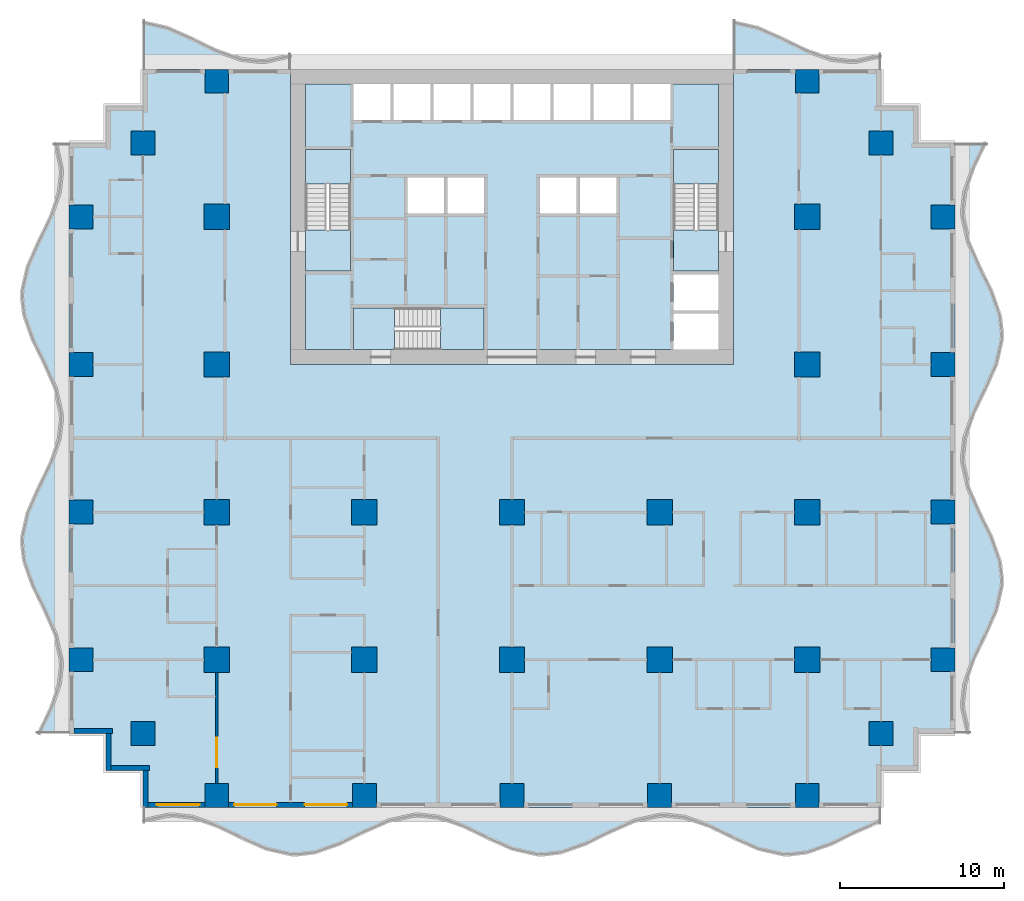
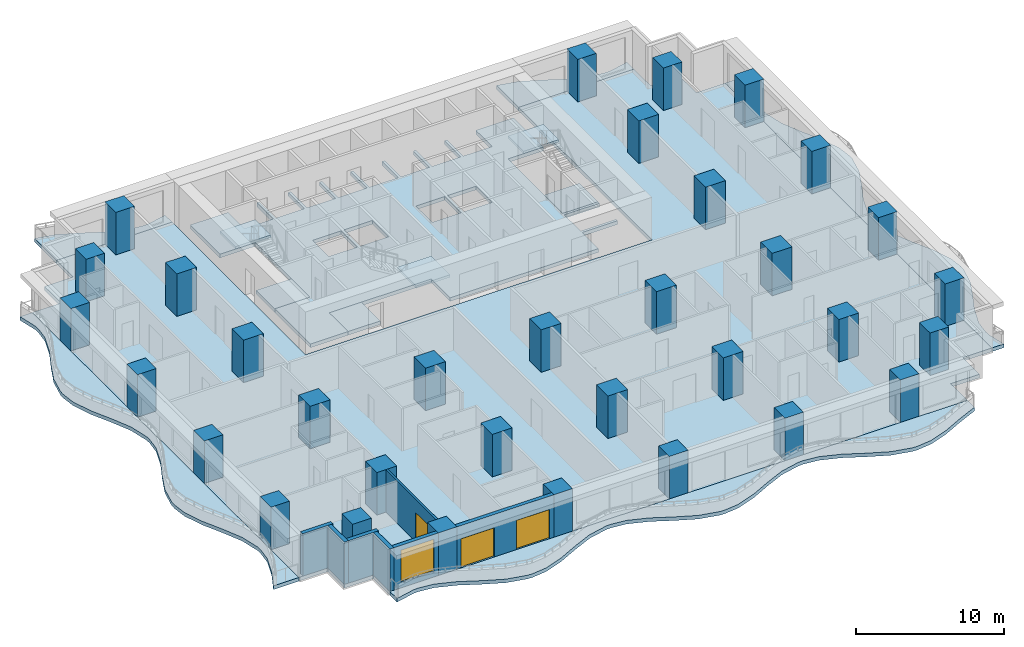
# One storey, part 1 of 14: 33 columns, 13 slabs, 7 walls, 3 doors, 1 window, 4 openings, 3 elements without a shape of their own.
"""IFC4 building model written with IfcOpenShell, lengths in metres."""

from ifc_helpers import new_model, si_unit, direction, frame, frame_2d, origin, origin_2d, place, context, subcontext, project, spatial, polyline, rectangle, outline, extrude, material, layer, layer_set, material_profile, profile_set, type_object, element, fill, aggregate, save


model = new_model("IFC4")

# Units and contexts
model_context = context("Model", 3, precision=1e-05, world=origin(), true_north=direction((0.0, 1.0)))
body_context = subcontext(model_context, "Body", "Model", "MODEL_VIEW")
ifc_project = project(units=[si_unit("LENGTHUNIT", "METRE"), si_unit("AREAUNIT", "SQUARE_METRE"), si_unit("VOLUMEUNIT", "CUBIC_METRE"), si_unit("PLANEANGLEUNIT", "RADIAN"), si_unit("MASSUNIT", "GRAM", prefix="KILO")], contexts=[model_context])

# Site, building, storey
site_placement = place(None, origin())
site = spatial("IfcSite", under=ifc_project, at=site_placement, CompositionType="ELEMENT")
building_placement = place(site_placement, origin())
building = spatial("IfcBuilding", under=site, at=building_placement, Name="Orbiselva Terraces", CompositionType="ELEMENT")
storey_placement = place(building_placement, frame((0.0, 0.0, 34.0)))
storey = spatial("IfcBuildingStorey", under=building, at=storey_placement, Name="L08", CompositionType="ELEMENT", Elevation=34.0)

# Columns
ifc_material_1 = material(Name="Concrete C80/95", Category="concrete")
ifc_material_profile_1 = material_profile(ifc_material_1, rectangle(XDim=1.55, YDim=1.55, at=origin_2d()), Name="RC 1550x1550")
ifc_profile_set_1 = profile_set([ifc_material_profile_1], Name="Concrete C80/95")
column_type_1 = type_object("IfcColumnType", Name="COLUMN RC 1550x1550", PredefinedType="COLUMN", material=ifc_profile_set_1)
for number, where, z_axis, x_axis, name in (
    (1, (-18.0, -13.5, 0.0), (0.0, 0.0, 1.0), (1.0, 0.0, 0.0), "Column L08-01"),
    (2, (-18.0, -4.5, 0.0), (0.0, 0.0, 1.0), (1.0, 0.0, 0.0), "Column L08-03"),
    (3, (-18.0, 13.5, 0.0), (0.0, 0.0, 1.0), (1.0, 0.0, 0.0), "Column L08-04"),
    (4, (-18.0, 4.5, 0.0), (0.0, 0.0, 1.0), (1.0, 0.0, 0.0), "Column L08-06"),
    (5, (-9.0, -13.5, 0.0), (0.0, 0.0, 1.0), (1.0, 0.0, 0.0), "Column L08-13"),
    (6, (-9.0, -4.5, 0.0), (0.0, 0.0, 1.0), (1.0, 0.0, 0.0), "Column L08-15"),
    (7, (0.0, -13.5, 0.0), (0.0, 0.0, 1.0), (1.0, 0.0, 0.0), "Column L08-16"),
    (8, (0.0, -4.5, 0.0), (0.0, 0.0, 1.0), (1.0, 0.0, 0.0), "Column L08-18"),
    (9, (18.0, -13.5, 0.0), (0.0, 0.0, 1.0), (1.0, 0.0, 0.0), "Column L08-19"),
    (10, (18.0, -4.5, 0.0), (0.0, 0.0, 1.0), (1.0, 0.0, 0.0), "Column L08-21"),
    (11, (18.0, 13.5, 0.0), (0.0, 0.0, 1.0), (1.0, 0.0, 0.0), "Column L08-22"),
    (12, (18.0, 4.5, 0.0), (0.0, 0.0, 1.0), (1.0, 0.0, 0.0), "Column L08-24"),
    (13, (9.0, -13.5, 0.0), (0.0, 0.0, 1.0), (1.0, 0.0, 0.0), "Column L08-31"),
    (14, (9.0, -4.5, 0.0), (0.0, 0.0, 1.0), (1.0, 0.0, 0.0), "Column L08-33"),
):
    element("IfcColumn", number, at=place(storey_placement, frame(where, z_axis=z_axis, x_axis=x_axis)), inside=storey, type_object=column_type_1, Name=name, PredefinedType="COLUMN", context=body_context, shape_type="SweptSolid", body=[
        extrude(rectangle(XDim=1.55, YDim=1.55, at=origin_2d()), origin(), (0.0, 0.0, 1.0), 3.5),
    ])
ifc_material_2 = material(Name="Concrete C70/85", Category="concrete")
ifc_material_profile_2 = material_profile(ifc_material_2, rectangle(XDim=1.45, YDim=1.45, at=origin_2d()), Name="RC 1450x1450")
ifc_profile_set_2 = profile_set([ifc_material_profile_2], Name="Concrete C70/85")
column_type_2 = type_object("IfcColumnType", Name="PERIMETER COLUMN RC 1450x1450", PredefinedType="COLUMN", material=ifc_profile_set_2)
for number, where, z_axis, x_axis, name in (
    (15, (-18.0, -21.775, 0.0), (0.0, 0.0, 1.0), (1.0, 0.0, 0.0), "Column L08-02"),
    (16, (-18.0, 21.775, 0.0), (0.0, 0.0, 1.0), (1.0, 0.0, 0.0), "Column L08-05"),
    (17, (-26.275, -13.5, 0.0), (0.0, 0.0, 1.0), (1.0, 0.0, 0.0), "Column L08-07"),
    (18, (-22.5, -18.0, 0.0), (0.0, 0.0, 1.0), (1.0, 0.0, 0.0), "Column L08-08"),
    (19, (-26.275, -4.5, 0.0), (0.0, 0.0, 1.0), (1.0, 0.0, 0.0), "Column L08-09"),
    (20, (-26.275, 13.5, 0.0), (0.0, 0.0, 1.0), (1.0, 0.0, 0.0), "Column L08-10"),
    (21, (-22.5, 18.0, 0.0), (0.0, 0.0, 1.0), (1.0, 0.0, 0.0), "Column L08-11"),
    (22, (-26.275, 4.5, 0.0), (0.0, 0.0, 1.0), (1.0, 0.0, 0.0), "Column L08-12"),
    (23, (-9.0, -21.775, 0.0), (0.0, 0.0, 1.0), (1.0, 0.0, 0.0), "Column L08-14"),
    (24, (0.0, -21.775, 0.0), (0.0, 0.0, 1.0), (1.0, 0.0, 0.0), "Column L08-17"),
    (25, (18.0, -21.775, 0.0), (0.0, 0.0, 1.0), (1.0, 0.0, 0.0), "Column L08-20"),
    (26, (18.0, 21.775, 0.0), (0.0, 0.0, 1.0), (1.0, 0.0, 0.0), "Column L08-23"),
    (27, (26.275, -13.5, 0.0), (0.0, 0.0, 1.0), (1.0, 0.0, 0.0), "Column L08-25"),
    (28, (22.5, -18.0, 0.0), (0.0, 0.0, 1.0), (1.0, 0.0, 0.0), "Column L08-26"),
    (29, (26.275, -4.5, 0.0), (0.0, 0.0, 1.0), (1.0, 0.0, 0.0), "Column L08-27"),
    (30, (26.275, 13.5, 0.0), (0.0, 0.0, 1.0), (1.0, 0.0, 0.0), "Column L08-28"),
    (31, (22.5, 18.0, 0.0), (0.0, 0.0, 1.0), (1.0, 0.0, 0.0), "Column L08-29"),
    (32, (26.275, 4.5, 0.0), (0.0, 0.0, 1.0), (1.0, 0.0, 0.0), "Column L08-30"),
    (33, (9.0, -21.775, 0.0), (0.0, 0.0, 1.0), (1.0, 0.0, 0.0), "Column L08-32"),
):
    element("IfcColumn", number, at=place(storey_placement, frame(where, z_axis=z_axis, x_axis=x_axis)), inside=storey, type_object=column_type_2, Name=name, PredefinedType="COLUMN", context=body_context, shape_type="SweptSolid", body=[
        extrude(rectangle(XDim=1.45, YDim=1.45, at=origin_2d()), origin(), (0.0, 0.0, 1.0), 3.5),
    ])

# Slabs
ifc_material_3 = material(Name="Concrete C40/50", Category="concrete")
ifc_layer_1 = layer(ifc_material_3, 0.3)
ifc_layer_set_1 = layer_set([ifc_layer_1], Name="Concrete C40/50")
slab_type_1 = type_object("IfcSlabType", Name="CORE-SLAB-FLOOR-300", PredefinedType="FLOOR", material=ifc_layer_set_1)
slab_1_placement = place(storey_placement, frame((0.0, 0.0, -0.3)))
element("IfcSlab", 34, at=slab_1_placement, inside=storey, type_object=slab_type_1, Name="L08 S1 floor landing", PredefinedType="FLOOR", context=body_context, shape_type="SweptSolid", body=[
    extrude(outline(polyline([(-12.6, 12.7), (-9.85, 12.7), (-9.85, 10.2), (-12.6, 10.2), (-12.6, 12.7)])), origin(), (0.0, 0.0, 1.0), 0.3),
])
slab_2_placement = place(storey_placement, frame((0.0, 0.0, -0.3)))
element("IfcSlab", 35, at=slab_2_placement, inside=storey, type_object=slab_type_1, Name="L08 S2 floor landing", PredefinedType="FLOOR", context=body_context, shape_type="SweptSolid", body=[
    extrude(outline(polyline([(12.6, 12.7), (12.6, 10.2), (9.85, 10.2), (9.85, 12.7), (12.6, 12.7)])), origin(), (0.0, 0.0, 1.0), 0.3),
])
slab_3_placement = place(storey_placement, frame((0.0, 0.0, -0.3)))
element("IfcSlab", 36, at=slab_3_placement, inside=storey, type_object=slab_type_1, Name="L08 S3 floor landing", PredefinedType="FLOOR", context=body_context, shape_type="SweptSolid", body=[
    extrude(outline(polyline([(-7.15, 5.4), (-9.65, 5.4), (-9.65, 7.95), (-7.15, 7.95), (-7.15, 5.4)])), origin(), (0.0, 0.0, 1.0), 0.3),
])
slab_4_placement = place(storey_placement, frame((0.0, 0.0, -0.3)))
element("IfcSlab", 37, at=slab_4_placement, inside=storey, type_object=slab_type_1, Name="L08 core floor slab 1", PredefinedType="FLOOR", context=body_context, shape_type="SweptSolid", body=[
    extrude(outline(polyline([(-1.7, 5.4), (-1.7, 7.95), (-9.65, 7.95), (-9.65, 5.4), (-12.6, 5.4), (-12.6, 10.2), (-9.85, 10.2), (-9.85, 17.6), (-12.6, 17.6), (-12.6, 21.6), (-9.65, 21.6), (-9.65, 19.4), (-7.4125, 19.4), (-7.4125, 21.6), (-7.2125, 21.6), (-7.2125, 19.4), (-4.975, 19.4), (-4.975, 21.6), (-4.775, 21.6), (-4.775, 19.4), (-2.5375, 19.4), (-2.5375, 21.6), (-2.3375, 21.6), (-2.3375, 19.4), (-0.1, 19.4), (-0.1, 21.6), (0.1, 21.6), (0.1, 19.4), (2.3375, 19.4), (2.3375, 21.6), (2.5375, 21.6), (2.5375, 19.4), (4.775, 19.4), (4.775, 21.6), (4.975, 21.6), (4.975, 19.4), (7.2125, 19.4), (7.2125, 21.6), (7.4125, 21.6), (7.4125, 19.4), (9.65, 19.4), (9.65, 21.6), (12.6, 21.6), (12.6, 17.6), (9.85, 17.6), (9.85, 10.2), (12.6, 10.2), (12.6, 10.0), (9.85, 10.0), (9.85, 7.8), (12.6, 7.8), (12.6, 7.6), (9.85, 7.6), (9.85, 5.4), (-1.7, 5.4)]), holes=[polyline([(-4.1375, 13.7), (-4.1375, 15.9), (-6.375, 15.9), (-6.375, 13.7), (-4.1375, 13.7)]), polyline([(-1.7, 13.7), (-1.7, 15.9), (-3.9375, 15.9), (-3.9375, 13.7), (-1.7, 13.7)]), polyline([(3.9375, 13.7), (3.9375, 15.9), (1.7, 15.9), (1.7, 13.7), (3.9375, 13.7)]), polyline([(6.375, 13.7), (6.375, 15.9), (4.1375, 15.9), (4.1375, 13.7), (6.375, 13.7)])]), origin(), (0.0, 0.0, 1.0), 0.3),
])

# Stair, slab
stair_type_1 = type_object("IfcStairType", Name="CORE-STAIR-1300", PredefinedType="HALF_TURN_STAIR", material=ifc_material_3)
stair_1_placement = place(storey_placement, origin())
stair_1 = element("IfcStair", 38, at=stair_1_placement, inside=storey, type_object=stair_type_1, Name="L08 Exit Stair S1", PredefinedType="HALF_TURN_STAIR")
ifc_layer_2 = layer(ifc_material_3, 0.2)
ifc_layer_set_2 = layer_set([ifc_layer_2], Name="Concrete C40/50")
slab_type_2 = type_object("IfcSlabType", Name="CORE-STAIR-LANDING-200", PredefinedType="LANDING", material=ifc_layer_set_2)
slab_5_placement = place(storey_placement, frame((0.0, 0.0, 1.7)))
slab_5 = element("IfcSlab", 39, at=slab_5_placement, type_object=slab_type_2, Name="S1 landing 1", PredefinedType="LANDING", context=body_context, shape_type="SweptSolid", body=[
    extrude(outline(polyline([(-9.85, 15.5), (-9.85, 17.6), (-12.6, 17.6), (-12.6, 15.5), (-9.85, 15.5)])), origin(), (0.0, 0.0, 1.0), 0.2),
])
aggregate(stair_1, [slab_5])

stair_2_placement = place(storey_placement, origin())
stair_2 = element("IfcStair", 40, at=stair_2_placement, inside=storey, type_object=stair_type_1, Name="L08 Exit Stair S2", PredefinedType="HALF_TURN_STAIR")
slab_6_placement = place(storey_placement, frame((0.0, 0.0, 1.7)))
slab_6 = element("IfcSlab", 41, at=slab_6_placement, type_object=slab_type_2, Name="S2 landing 1", PredefinedType="LANDING", context=body_context, shape_type="SweptSolid", body=[
    extrude(outline(polyline([(12.6, 15.5), (12.6, 17.6), (9.85, 17.6), (9.85, 15.5), (12.6, 15.5)])), origin(), (0.0, 0.0, 1.0), 0.2),
])
aggregate(stair_2, [slab_6])

stair_type_2 = type_object("IfcStairType", Name="CORE-STAIR-1200", PredefinedType="HALF_TURN_STAIR", material=ifc_material_3)
stair_3_placement = place(storey_placement, origin())
stair_3 = element("IfcStair", 42, at=stair_3_placement, inside=storey, type_object=stair_type_2, Name="L08 Exit Stair S3", PredefinedType="HALF_TURN_STAIR")
slab_7_placement = place(storey_placement, frame((0.0, 0.0, 1.7)))
slab_7 = element("IfcSlab", 43, at=slab_7_placement, type_object=slab_type_2, Name="S3 landing 1", PredefinedType="LANDING", context=body_context, shape_type="SweptSolid", body=[
    extrude(outline(polyline([(-4.35, 5.4), (-1.7, 5.4), (-1.7, 7.95), (-4.35, 7.95), (-4.35, 5.4)])), origin(), (0.0, 0.0, 1.0), 0.2),
])
aggregate(stair_3, [slab_7])

# Slabs
ifc_material_4 = material(Name="Concrete C50/60", Category="concrete")
ifc_layer_3 = layer(ifc_material_4, 0.3)
ifc_layer_set_3 = layer_set([ifc_layer_3], Name="Concrete C50/60")
slab_type_3 = type_object("IfcSlabType", Name="ENV-BALCONY-SLAB-300", PredefinedType="FLOOR", material=ifc_layer_set_3)
slab_8_placement = place(storey_placement, frame((0.0, 0.0, -0.3)))
element("IfcSlab", 44, at=slab_8_placement, inside=storey, type_object=slab_type_3, Name="Balcony slab L08 S", PredefinedType="FLOOR", context=body_context, shape_type="SweptSolid", body=[
    extrude(outline(polyline([(-22.5, -23.451472), (-21.0, -23.114774), (-20.625, -23.1), (-19.5, -23.230792), (-18.0, -23.755211), (-16.5, -24.487721), (-15.0, -25.148528), (-13.5, -25.485226), (-13.125, -25.5), (-12.0, -25.369208), (-10.5, -24.844789), (-9.0, -24.112279), (-7.5, -23.451472), (-6.0, -23.114774), (-5.625, -23.1), (-4.5, -23.230792), (-3.0, -23.755211), (-1.5, -24.487721), (0.0, -25.148528), (1.5, -25.485226), (1.875, -25.5), (3.0, -25.369208), (4.5, -24.844789), (6.0, -24.112279), (7.5, -23.451472), (9.0, -23.114774), (9.375, -23.1), (10.5, -23.230792), (12.0, -23.755211), (13.5, -24.487721), (15.0, -25.148528), (16.5, -25.485226), (16.875, -25.5), (18.0, -25.369208), (19.5, -24.844789), (21.0, -24.112279), (22.5, -23.451472), (22.5, -22.5), (-22.5, -22.5), (-22.5, -23.451472)])), origin(), (0.0, 0.0, 1.0), 0.3),
])
slab_9_placement = place(storey_placement, frame((0.0, 0.0, -0.3)))
element("IfcSlab", 45, at=slab_9_placement, inside=storey, type_object=slab_type_3, Name="Balcony slab L08 E", PredefinedType="FLOOR", context=body_context, shape_type="SweptSolid", body=[
    extrude(outline(polyline([(27.951472, -18.0), (27.614774, -16.5), (27.6, -16.125), (27.730792, -15.0), (28.255211, -13.5), (28.987721, -12.0), (29.648528, -10.5), (29.985226, -9.0), (30.0, -8.625), (29.869208, -7.5), (29.344789, -6.0), (28.612279, -4.5), (27.951472, -3.0), (27.614774, -1.5), (27.6, -1.125), (27.730792, 0.0), (28.255211, 1.5), (28.987721, 3.0), (29.648528, 4.5), (29.985226, 6.0), (30.0, 6.375), (29.869208, 7.5), (29.344789, 9.0), (28.612279, 10.5), (27.951472, 12.0), (27.614774, 13.5), (27.6, 13.875), (27.730792, 15.0), (28.255211, 16.5), (28.987721, 18.0), (27.0, 18.0), (27.0, -18.0), (27.951472, -18.0)])), origin(), (0.0, 0.0, 1.0), 0.3),
])
slab_10_placement = place(storey_placement, frame((0.0, 0.0, -0.3)))
element("IfcSlab", 46, at=slab_10_placement, inside=storey, type_object=slab_type_3, Name="Balcony slab L08 NE", PredefinedType="FLOOR", context=body_context, shape_type="SweptSolid", body=[
    extrude(outline(polyline([(22.5, 23.451472), (21.0, 23.114774), (20.625, 23.1), (19.5, 23.230792), (18.0, 23.755211), (16.5, 24.487721), (15.0, 25.148528), (13.5, 25.485226), (13.5, 22.5), (22.5, 22.5), (22.5, 23.451472)])), origin(), (0.0, 0.0, 1.0), 0.3),
])
slab_11_placement = place(storey_placement, frame((0.0, 0.0, -0.3)))
element("IfcSlab", 47, at=slab_11_placement, inside=storey, type_object=slab_type_3, Name="Balcony slab L08 NW", PredefinedType="FLOOR", context=body_context, shape_type="SweptSolid", body=[
    extrude(outline(polyline([(-13.5, 23.451472), (-15.0, 23.114774), (-15.375, 23.1), (-16.5, 23.230792), (-18.0, 23.755211), (-19.5, 24.487721), (-21.0, 25.148528), (-22.5, 25.485226), (-22.5, 22.5), (-13.5, 22.5), (-13.5, 23.451472)])), origin(), (0.0, 0.0, 1.0), 0.3),
])
slab_12_placement = place(storey_placement, frame((0.0, 0.0, -0.3)))
element("IfcSlab", 48, at=slab_12_placement, inside=storey, type_object=slab_type_3, Name="Balcony slab L08 W", PredefinedType="FLOOR", context=body_context, shape_type="SweptSolid", body=[
    extrude(outline(polyline([(-27.951472, 18.0), (-27.614774, 16.5), (-27.6, 16.125), (-27.730792, 15.0), (-28.255211, 13.5), (-28.987721, 12.0), (-29.648528, 10.5), (-29.985226, 9.0), (-30.0, 8.625), (-29.869208, 7.5), (-29.344789, 6.0), (-28.612279, 4.5), (-27.951472, 3.0), (-27.614774, 1.5), (-27.6, 1.125), (-27.730792, 0.0), (-28.255211, -1.5), (-28.987721, -3.0), (-29.648528, -4.5), (-29.985226, -6.0), (-30.0, -6.375), (-29.869208, -7.5), (-29.344789, -9.0), (-28.612279, -10.5), (-27.951472, -12.0), (-27.614774, -13.5), (-27.6, -13.875), (-27.730792, -15.0), (-28.255211, -16.5), (-28.987721, -18.0), (-27.0, -18.0), (-27.0, 18.0), (-27.951472, 18.0)])), origin(), (0.0, 0.0, 1.0), 0.3),
])
ifc_layer_4 = layer(ifc_material_4, 0.3)
ifc_layer_set_4 = layer_set([ifc_layer_4], Name="Concrete C50/60")
slab_type_4 = type_object("IfcSlabType", Name="FLOOR SLAB 300", PredefinedType="FLOOR", material=ifc_layer_set_4)
slab_13_placement = place(storey_placement, frame((0.0, 0.0, -0.3)))
element("IfcSlab", 49, at=slab_13_placement, inside=storey, type_object=slab_type_4, Name="Floor slab L08", PredefinedType="FLOOR", context=body_context, shape_type="SweptSolid", body=[
    extrude(outline(polyline([(22.5, 22.5), (22.5, 20.25), (24.75, 20.25), (24.75, 18.0), (27.0, 18.0), (27.0, -18.0), (24.75, -18.0), (24.75, -20.25), (22.5, -20.25), (22.5, -22.5), (-22.5, -22.5), (-22.5, -20.25), (-24.75, -20.25), (-24.75, -18.0), (-27.0, -18.0), (-27.0, 18.0), (-24.75, 18.0), (-24.75, 20.25), (-22.5, 20.25), (-22.5, 22.5), (-13.5, 22.5), (-13.5, 4.5), (13.5, 4.5), (13.5, 22.5), (22.5, 22.5)])), origin(), (0.0, 0.0, 1.0), 0.3),
])

# Wall, opening, window
ifc_material_5 = material(Name="Terracotta cladding on masonry backing", Category="masonry")
ifc_layer_5 = layer(ifc_material_5, 0.3)
ifc_layer_set_5 = layer_set([ifc_layer_5], Name="Terracotta cladding on masonry backing")
wall_type_1 = type_object("IfcWallType", Name="ENV-WALL-TERRACOTTA-300", PredefinedType="SOLIDWALL", material=ifc_layer_set_5)
wall_1_placement = place(storey_placement, frame((-18.725, -22.35, 0.0), z_axis=(0.0, 0.0, 1.0), x_axis=(-1.0, 0.0, 0.0)))
wall_1 = element("IfcWall", 50, at=wall_1_placement, inside=storey, type_object=wall_type_1, Name="Facade wall L08 S", PredefinedType="SOLIDWALL", context=body_context, shape_type="SweptSolid", body=[
    extrude(rectangle(XDim=3.475, YDim=0.3, at=frame_2d((1.7375, 0.0))), origin(), (0.0, 0.0, 1.0), 3.5),
])
opening_1_placement = place(wall_1_placement, frame((0.325, 0.0, 0.45)))
opening_1 = element("IfcOpeningElement", 51, at=opening_1_placement, cuts=wall_1, Name="Opening WN1", PredefinedType="OPENING", context=body_context, shape_type="SweptSolid", body=[
    extrude(rectangle(XDim=2.6, YDim=2.65, at=frame_2d((1.3, 1.325))), frame((0.0, 0.16, 0.0), z_axis=(0.0, -1.0, 0.0), x_axis=(1.0, 0.0, 0.0)), (0.0, 0.0, 1.0), 0.32),
])
ifc_material_6 = material(Name="Clear low-e glazing in aluminium frame", Category="aluminium")
window_type = type_object("IfcWindowType", Name="WINDOW 2600 X 2650 S450", PartitioningType="TRIPLE_PANEL_VERTICAL", PredefinedType="WINDOW", material=ifc_material_6)
window_placement = place(opening_1_placement, origin())
window = element("IfcWindow", 52, at=window_placement, inside=storey, type_object=window_type, Name="Window L08 S", OverallHeight=2.65, OverallWidth=2.6, PartitioningType="SINGLE_PANEL", PredefinedType="WINDOW", context=body_context, shape_type="SweptSolid", body=[
    extrude(rectangle(XDim=2.6, YDim=2.65, at=frame_2d((1.3, 1.325))), frame((0.0, 0.03, 0.0), z_axis=(0.0, -1.0, 0.0), x_axis=(1.0, 0.0, 0.0)), (0.0, 0.0, 1.0), 0.06),
])
fill(opening_1, window)

# Wall, openings, doors
wall_2_placement = place(storey_placement, frame((-9.725, -22.35, 0.0), z_axis=(0.0, 0.0, 1.0), x_axis=(-1.0, 0.0, 0.0)))
wall_2 = element("IfcWall", 53, at=wall_2_placement, inside=storey, type_object=wall_type_1, Name="Facade wall L08 S", PredefinedType="SOLIDWALL", context=body_context, shape_type="SweptSolid", body=[
    extrude(rectangle(XDim=7.55, YDim=0.3, at=frame_2d((3.775, 0.0))), origin(), (0.0, 0.0, 1.0), 3.5),
])
opening_2_placement = place(wall_2_placement, frame((4.625, 0.0, 0.0)))
opening_2 = element("IfcOpeningElement", 54, at=opening_2_placement, cuts=wall_2, Name="Opening Z1-B-E18", PredefinedType="OPENING", context=body_context, shape_type="SweptSolid", body=[
    extrude(rectangle(XDim=2.6, YDim=2.4, at=frame_2d((1.3, 1.2))), frame((0.0, 0.16, 0.0), z_axis=(0.0, -1.0, 0.0), x_axis=(1.0, 0.0, 0.0)), (0.0, 0.0, 1.0), 0.32),
])
opening_3_placement = place(wall_2_placement, frame((0.325, 0.0, 0.0)))
opening_3 = element("IfcOpeningElement", 55, at=opening_3_placement, cuts=wall_2, Name="Opening Z1-B-E01", PredefinedType="OPENING", context=body_context, shape_type="SweptSolid", body=[
    extrude(rectangle(XDim=2.6, YDim=2.4, at=frame_2d((1.3, 1.2))), frame((0.0, 0.16, 0.0), z_axis=(0.0, -1.0, 0.0), x_axis=(1.0, 0.0, 0.0)), (0.0, 0.0, 1.0), 0.32),
])
door_type_1 = type_object("IfcDoorType", Name="BALCONY DOOR 2600 X 2400", OperationType="DOUBLE_DOOR_SLIDING", PredefinedType="DOOR", material=ifc_material_6)
door_1_placement = place(opening_2_placement, origin())
door_1 = element("IfcDoor", 56, at=door_1_placement, inside=storey, type_object=door_type_1, Name="Z1-B-E18", OperationType="SINGLE_SWING_LEFT", OverallHeight=2.4, OverallWidth=2.6, PredefinedType="DOOR", context=body_context, shape_type="SweptSolid", body=[
    extrude(rectangle(XDim=2.6, YDim=2.4, at=frame_2d((1.3, 1.2))), frame((0.0, 0.025, 0.0), z_axis=(0.0, -1.0, 0.0), x_axis=(1.0, 0.0, 0.0)), (0.0, 0.0, 1.0), 0.05),
])
fill(opening_2, door_1)
door_2_placement = place(opening_3_placement, origin())
door_2 = element("IfcDoor", 57, at=door_2_placement, inside=storey, type_object=door_type_1, Name="Z1-B-E01", OperationType="SINGLE_SWING_LEFT", OverallHeight=2.4, OverallWidth=2.6, PredefinedType="DOOR", context=body_context, shape_type="SweptSolid", body=[
    extrude(rectangle(XDim=2.6, YDim=2.4, at=frame_2d((1.3, 1.2))), frame((0.0, 0.025, 0.0), z_axis=(0.0, -1.0, 0.0), x_axis=(1.0, 0.0, 0.0)), (0.0, 0.0, 1.0), 0.05),
])
fill(opening_3, door_2)

# Walls
wall_3_placement = place(storey_placement, frame((-24.35, -17.85, 0.0), z_axis=(0.0, 0.0, 1.0), x_axis=(-1.0, 0.0, 0.0)))
element("IfcWall", 58, at=wall_3_placement, inside=storey, type_object=wall_type_1, Name="Facade wall L08 STEP", PredefinedType="SOLIDWALL", context=body_context, shape_type="SweptSolid", body=[
    extrude(rectangle(XDim=2.35, YDim=0.3, at=frame_2d((1.175, 0.0))), origin(), (0.0, 0.0, 1.0), 3.5),
])
wall_4_placement = place(storey_placement, frame((-24.6, -20.25, 0.0), z_axis=(0.0, 0.0, 1.0), x_axis=(0.0, 1.0, 0.0)))
element("IfcWall", 59, at=wall_4_placement, inside=storey, type_object=wall_type_1, Name="Facade wall L08 STEP", PredefinedType="SOLIDWALL", context=body_context, shape_type="SweptSolid", body=[
    extrude(rectangle(XDim=2.25, YDim=0.3, at=frame_2d((1.125, 0.0))), origin(), (0.0, 0.0, 1.0), 3.5),
])
wall_5_placement = place(storey_placement, frame((-22.1, -20.1, 0.0), z_axis=(0.0, 0.0, 1.0), x_axis=(-1.0, 0.0, 0.0)))
element("IfcWall", 60, at=wall_5_placement, inside=storey, type_object=wall_type_1, Name="Facade wall L08 STEP", PredefinedType="SOLIDWALL", context=body_context, shape_type="SweptSolid", body=[
    extrude(rectangle(XDim=2.35, YDim=0.3, at=frame_2d((1.175, 0.0))), origin(), (0.0, 0.0, 1.0), 3.5),
])
wall_6_placement = place(storey_placement, frame((-22.35, -22.5, 0.0), z_axis=(0.0, 0.0, 1.0), x_axis=(0.0, 1.0, 0.0)))
element("IfcWall", 61, at=wall_6_placement, inside=storey, type_object=wall_type_1, Name="Facade wall L08 STEP", PredefinedType="SOLIDWALL", context=body_context, shape_type="SweptSolid", body=[
    extrude(rectangle(XDim=2.25, YDim=0.3, at=frame_2d((1.125, 0.0))), origin(), (0.0, 0.0, 1.0), 3.5),
])

# Wall, opening, door
ifc_material_7 = material(Name="Plasterboard on steel stud partition", Category="steel")
ifc_layer_6 = layer(ifc_material_7, 0.15)
ifc_layer_set_6 = layer_set([ifc_layer_6], Name="Plasterboard on steel stud partition")
wall_type_2 = type_object("IfcWallType", Name="UNIT-PARTITION-150", PredefinedType="PARTITIONING", material=ifc_layer_set_6)
wall_7_placement = place(storey_placement, frame((-18.0, -21.05, 0.0), z_axis=(0.0, 0.0, 1.0), x_axis=(0.0, 1.0, 0.0)))
wall_7 = element("IfcWall", 62, at=wall_7_placement, inside=storey, type_object=wall_type_2, Name="PARTITION L08-046", PredefinedType="PARTITIONING", context=body_context, shape_type="SweptSolid", body=[
    extrude(rectangle(XDim=6.775, YDim=0.15, at=frame_2d((3.3875, 0.0))), origin(), (0.0, 0.0, 1.0), 3.5),
])
opening_4_placement = place(wall_7_placement, frame((1.0, 0.0, 0.0)))
opening_4 = element("IfcOpeningElement", 63, at=opening_4_placement, cuts=wall_7, Name="Opening Z1-B-21", PredefinedType="OPENING", context=body_context, shape_type="SweptSolid", body=[
    extrude(rectangle(XDim=1.8, YDim=2.4, at=frame_2d((0.9, 1.2))), frame((0.0, 0.085, 0.0), z_axis=(0.0, -1.0, 0.0), x_axis=(1.0, 0.0, 0.0)), (0.0, 0.0, 1.0), 0.17),
])
ifc_material_8 = material(Name="Painted timber door leaf", Category="wood")
door_type_2 = type_object("IfcDoorType", Name="DOUBLE DOOR 1800", OperationType="NOTDEFINED", PredefinedType="DOOR", material=ifc_material_8)
door_3_placement = place(opening_4_placement, origin())
door_3 = element("IfcDoor", 64, at=door_3_placement, inside=storey, type_object=door_type_2, Name="Z1-B-21", OperationType="DOUBLE_DOOR_SINGLE_SWING", OverallHeight=2.4, OverallWidth=1.8, PredefinedType="DOOR", context=body_context, shape_type="SweptSolid", body=[
    extrude(rectangle(XDim=1.8, YDim=2.4, at=frame_2d((0.9, 1.2))), frame((0.0, 0.025, 0.0), z_axis=(0.0, -1.0, 0.0), x_axis=(1.0, 0.0, 0.0)), (0.0, 0.0, 1.0), 0.05),
])
fill(opening_4, door_3)

save(model, "model.ifc")
